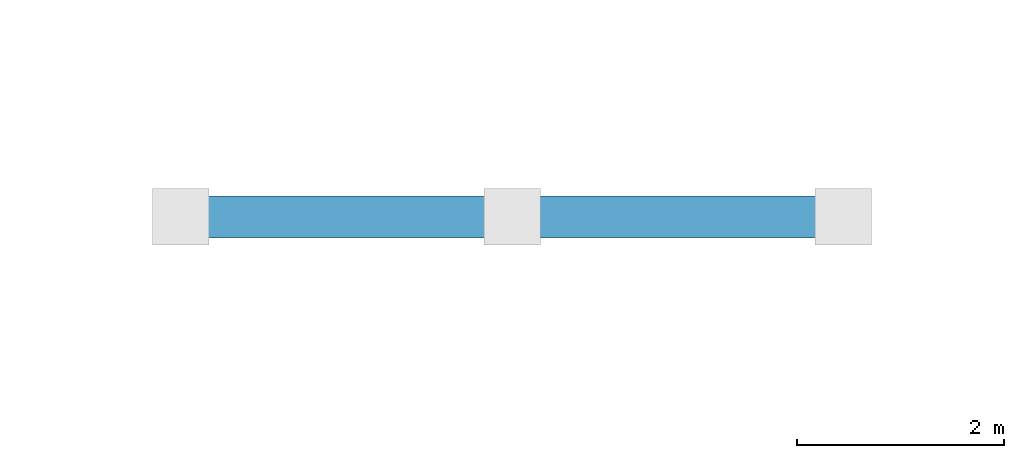
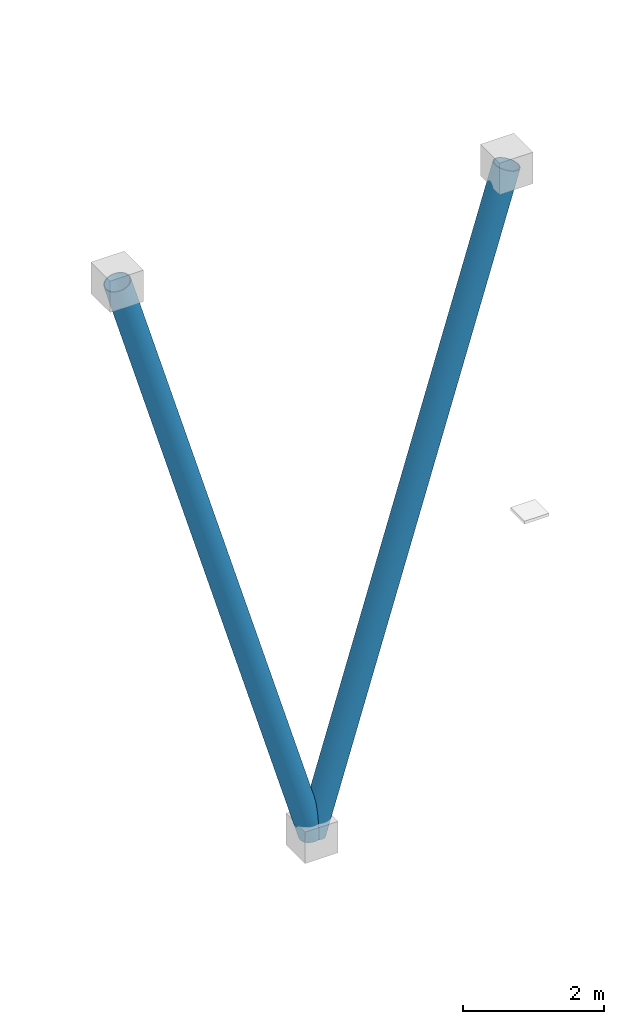
# One storey, part 23 of 83: 2 members.
"""IFC4 building model written with IfcOpenShell, lengths in metres."""

from ifc_helpers import new_model, si_unit, direction, frame, origin, origin_2d, place, context, subcontext, project, spatial, hollow_circle, extrude, material, material_profile, profile_set, type_object, element, save


model = new_model("IFC4")

# Units and contexts
model_context = context("Model", 3, precision=1e-05, world=origin(), true_north=direction((0.0, 1.0)))
body_context = subcontext(model_context, "Body", "Model", "MODEL_VIEW")
ifc_project = project(units=[si_unit("LENGTHUNIT", "METRE"), si_unit("AREAUNIT", "SQUARE_METRE"), si_unit("VOLUMEUNIT", "CUBIC_METRE"), si_unit("PLANEANGLEUNIT", "RADIAN"), si_unit("MASSUNIT", "GRAM", prefix="KILO")], contexts=[model_context])

# Site, building, storey
site_placement = place(None, origin())
site = spatial("IfcSite", under=ifc_project, at=site_placement, CompositionType="ELEMENT")
building_placement = place(site_placement, origin())
building = spatial("IfcBuilding", under=site, at=building_placement, Name="Drelvath Fold Interchange", CompositionType="ELEMENT")
storey_placement = place(building_placement, frame((0.0, 0.0, 11.199951171875)))
storey = spatial("IfcBuildingStorey", under=building, at=storey_placement, Name="L02", CompositionType="ELEMENT", Elevation=11.199951171875)

# Members
ifc_material = material(Name="Steel ASTM A500 Grade C", Category="steel")
ifc_material_profile = material_profile(ifc_material, hollow_circle(Radius=0.202880859375, WallThickness=0.014892578125, at=origin_2d()), Name="HSS16.000X0.625")
ifc_profile_set = profile_set([ifc_material_profile], Name="Steel ASTM A500 Grade C")
member_type = type_object("IfcMemberType", Name="ST-VST406", PredefinedType="STRUT", material=ifc_profile_set)
member_1_placement = place(storey_placement, frame((118.0, 27.0, -5.14990234375), z_axis=(-0.286841888817, 0.0, 0.957977938587), x_axis=(0.0, -1.0, 0.0)))
element("IfcMember", 1, at=member_1_placement, inside=storey, type_object=member_type, Name="L02 Canopy inclined V-strut ST-VST406", PredefinedType="STRUT", context=body_context, shape_type="SweptSolid", body=[
    extrude(hollow_circle(Radius=0.202880859375, WallThickness=0.014892578125, at=origin_2d()), origin(), (0.0, 0.0, 1.0), 11.15576171875),
])
member_2_placement = place(storey_placement, frame((118.0, 27.0, -5.14990234375), z_axis=(0.291650340719, 0.0, 0.956525001638), x_axis=(0.0, 1.0, 0.0)))
element("IfcMember", 2, at=member_2_placement, inside=storey, type_object=member_type, Name="L02 Canopy inclined V-strut ST-VST406", PredefinedType="STRUT", context=body_context, shape_type="SweptSolid", body=[
    extrude(hollow_circle(Radius=0.202880859375, WallThickness=0.014892578125, at=origin_2d()), origin(), (0.0, 0.0, 1.0), 10.971923828125),
])

save(model, "model.ifc")
